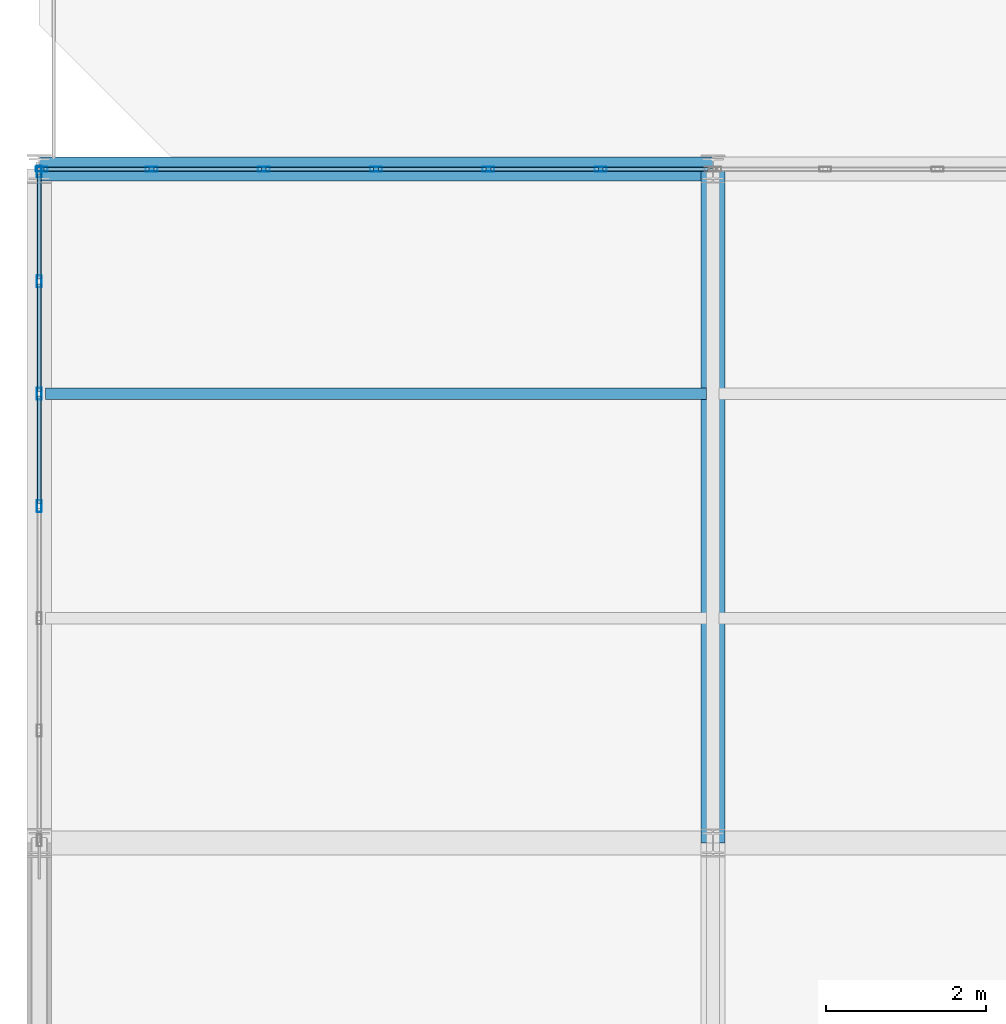
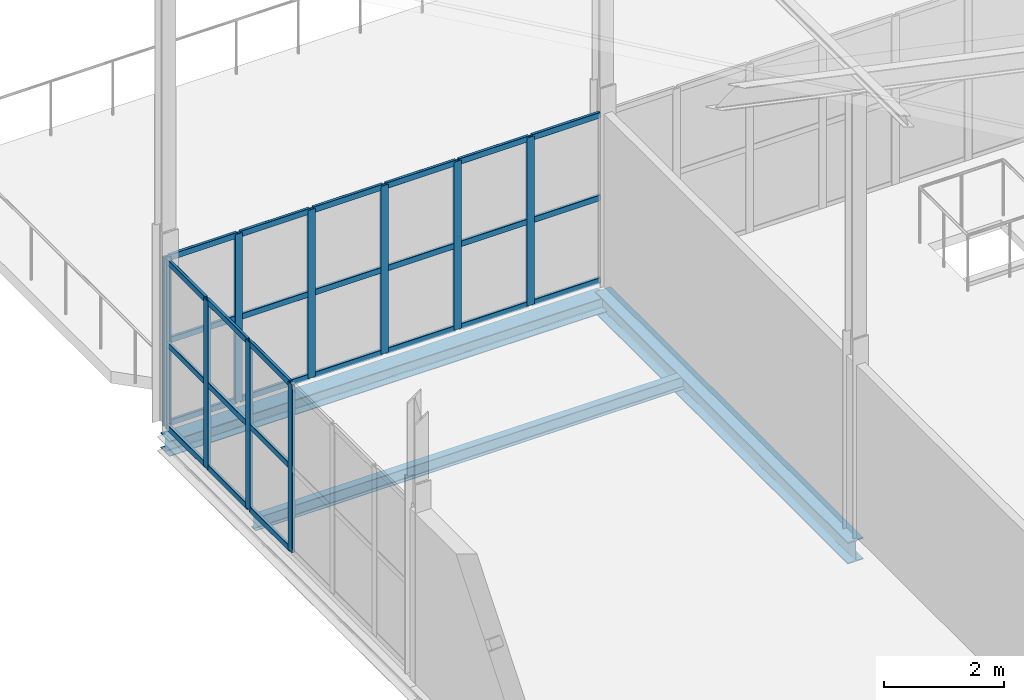
# One storey, part 106 of 184: 37 members, 3 beams, 2 elements without a shape of their own.
"""IFC4 building model written with IfcOpenShell, lengths in metres."""

from ifc_helpers import new_model, si_unit, direction, frame, origin, origin_2d, place, context, subcontext, project, spatial, hollow_rectangle, i_section, extrude, material, layer, layer_set, material_profile, profile_set, type_object, element, aggregate, save


model = new_model("IFC4")

# Units and contexts
model_context = context("Model", 3, precision=1e-05, world=origin(), true_north=direction((0.0, 1.0)))
body_context = subcontext(model_context, "Body", "Model", "MODEL_VIEW")
ifc_project = project(units=[si_unit("LENGTHUNIT", "METRE"), si_unit("AREAUNIT", "SQUARE_METRE"), si_unit("VOLUMEUNIT", "CUBIC_METRE"), si_unit("PLANEANGLEUNIT", "RADIAN"), si_unit("MASSUNIT", "GRAM", prefix="KILO")], contexts=[model_context])

# Site, building, storey
site_placement = place(None, origin())
site = spatial("IfcSite", under=ifc_project, at=site_placement, CompositionType="ELEMENT")
building_placement = place(site_placement, origin())
building = spatial("IfcBuilding", under=site, at=building_placement, Name="Qalvenar Corner Mobility Hub", CompositionType="ELEMENT")
storey_placement = place(building_placement, frame((0.0, 0.0, 9.0)))
storey = spatial("IfcBuildingStorey", under=building, at=storey_placement, Name="L02", CompositionType="ELEMENT", Elevation=9.0)

# Beams
ifc_material_1 = material(Name="Steel S355", Category="steel")
ifc_material_profile_1 = material_profile(ifc_material_1, i_section(OverallWidth=0.300048828125, OverallDepth=0.43994140625, WebThickness=0.011474609375, FlangeThickness=0.02099609375, FilletRadius=0.027099609375, at=origin_2d()), Name="HEA450")
ifc_profile_set_1 = profile_set([ifc_material_profile_1], Name="Steel S355")
beam_type_1 = type_object("IfcBeamType", Name="BM-HEA450", PredefinedType="BEAM", material=ifc_profile_set_1)
beam_1_placement = place(storey_placement, frame((8.39990234375, 75.60009765625, -0.39990234375), z_axis=(0.0, 1.0, 0.0), x_axis=(-1.0, 0.0, 0.0)))
element("IfcBeam", 1, at=beam_1_placement, inside=storey, type_object=beam_type_1, Name="Primary Steel Girder GY-1848", PredefinedType="BEAM", context=body_context, shape_type="SweptSolid", body=[
    extrude(i_section(OverallWidth=0.300048828125, OverallDepth=0.43994140625, WebThickness=0.011474609375, FlangeThickness=0.02099609375, FilletRadius=0.027099609375, at=origin_2d()), origin(), (0.0, 0.0, 1.0), 8.39990234375),
])
ifc_material_profile_2 = material_profile(ifc_material_1, i_section(OverallWidth=0.14599609375, OverallDepth=0.258056640625, WebThickness=0.006103515625, FlangeThickness=0.009033203125, FilletRadius=0.011962890625, at=origin_2d()), Name="W250x32.7")
ifc_profile_set_2 = profile_set([ifc_material_profile_2], Name="Steel S355")
beam_type_2 = type_object("IfcBeamType", Name="BM-JST250", PredefinedType="JOIST", material=ifc_profile_set_2)
beam_2_placement = place(storey_placement, frame((0.077880859375, 81.199951171875, -0.30908203125), z_axis=(1.0, 0.0, 0.0), x_axis=(0.0, 1.0, 0.0)))
element("IfcBeam", 2, at=beam_2_placement, inside=storey, type_object=beam_type_2, Name="Composite Floor Joist J-1873", PredefinedType="JOIST", context=body_context, shape_type="SweptSolid", body=[
    extrude(i_section(OverallWidth=0.14599609375, OverallDepth=0.258056640625, WebThickness=0.006103515625, FlangeThickness=0.009033203125, FilletRadius=0.011962890625, at=origin_2d()), origin(), (0.0, 0.0, 1.0), 8.244140625),
])
ifc_material_profile_3 = material_profile(ifc_material_1, i_section(OverallWidth=0.300048828125, OverallDepth=0.31005859375, WebThickness=0.009033203125, FlangeThickness=0.015380859375, FilletRadius=0.027099609375, at=origin_2d()), Name="HEA320")
ifc_profile_set_3 = profile_set([ifc_material_profile_3], Name="Steel S355")
beam_type_3 = type_object("IfcBeamType", Name="BM-SPN320", PredefinedType="SPANDREL", material=ifc_profile_set_3)
beam_3_placement = place(storey_placement, frame((0.0, 84.0, -0.39697265625), z_axis=(1.0, 0.0, 0.0), x_axis=(0.0, 1.0, 0.0)))
element("IfcBeam", 3, at=beam_3_placement, inside=storey, type_object=beam_type_3, Name="Primary Steel Girder GX-1835", PredefinedType="SPANDREL", context=body_context, shape_type="SweptSolid", body=[
    extrude(i_section(OverallWidth=0.300048828125, OverallDepth=0.31005859375, WebThickness=0.009033203125, FlangeThickness=0.015380859375, FilletRadius=0.027099609375, at=origin_2d()), origin(), (0.0, 0.0, 1.0), 8.39990234375),
])

# Curtain wall, members
ifc_material_2 = material(Name="Anodised Aluminium and Low-E Glazing", Category="aluminium")
ifc_layer = layer(ifc_material_2, 0.14990234375)
ifc_layer_set = layer_set([ifc_layer], Name="Anodised Aluminium and Low-E Glazing")
curtain_wall_type = type_object("IfcCurtainWallType", Name="CW-CYC-84X39", PredefinedType="NOTDEFINED", material=ifc_layer_set)
curtain_wall_1_placement = place(storey_placement, origin())
curtain_wall_1 = element("IfcCurtainWall", 4, at=curtain_wall_1_placement, inside=storey, type_object=curtain_wall_type, Name="Glazed Curtain Wall CW-V5-L02-W4", PredefinedType="NOTDEFINED")
ifc_material_3 = material(Name="Anodised Aluminium 6063-T6", Category="aluminium")
ifc_material_profile_4 = material_profile(ifc_material_3, hollow_rectangle(XDim=0.06005859375, YDim=0.14990234375, WallThickness=0.00390625, InnerFilletRadius=0.00390625, OuterFilletRadius=0.008056640625, at=origin_2d()), Name="RHS150x60x4")
ifc_profile_set_4 = profile_set([ifc_material_profile_4], Name="Anodised Aluminium 6063-T6")
member_type_1 = type_object("IfcMemberType", Name="CW-MUL150", PredefinedType="MULLION", material=ifc_profile_set_4)
member_1_placement = place(storey_placement, frame((0.0, 83.969970703125, 0.0), z_axis=(0.0, 0.0, 1.0), x_axis=(1.0, 0.0, 0.0)))
member_1 = element("IfcMember", 5, at=member_1_placement, type_object=member_type_1, Name="CW-08 mullion 1", PredefinedType="MULLION", context=body_context, shape_type="SweptSolid", body=[
    extrude(hollow_rectangle(XDim=0.06005859375, YDim=0.14990234375, WallThickness=0.00390625, InnerFilletRadius=0.00390625, OuterFilletRadius=0.008056640625, at=origin_2d()), origin(), (0.0, 0.0, 1.0), 3.409912109375),
])
member_2_placement = place(storey_placement, frame((0.0, 82.60009765625, 0.0), z_axis=(0.0, 0.0, 1.0), x_axis=(1.0, 0.0, 0.0)))
member_2 = element("IfcMember", 6, at=member_2_placement, type_object=member_type_1, Name="CW-08 mullion 2", PredefinedType="MULLION", context=body_context, shape_type="SweptSolid", body=[
    extrude(hollow_rectangle(XDim=0.06005859375, YDim=0.14990234375, WallThickness=0.00390625, InnerFilletRadius=0.00390625, OuterFilletRadius=0.008056640625, at=origin_2d()), origin(), (0.0, 0.0, 1.0), 3.409912109375),
])
member_3_placement = place(storey_placement, frame((0.0, 81.199951171875, 0.0), z_axis=(0.0, 0.0, 1.0), x_axis=(1.0, 0.0, 0.0)))
member_3 = element("IfcMember", 7, at=member_3_placement, type_object=member_type_1, Name="CW-08 mullion 3", PredefinedType="MULLION", context=body_context, shape_type="SweptSolid", body=[
    extrude(hollow_rectangle(XDim=0.06005859375, YDim=0.14990234375, WallThickness=0.00390625, InnerFilletRadius=0.00390625, OuterFilletRadius=0.008056640625, at=origin_2d()), origin(), (0.0, 0.0, 1.0), 3.409912109375),
])
member_4_placement = place(storey_placement, frame((0.0, 79.800048828125, 0.0), z_axis=(0.0, 0.0, 1.0), x_axis=(1.0, 0.0, 0.0)))
member_4 = element("IfcMember", 8, at=member_4_placement, type_object=member_type_1, Name="CW-08 mullion 4", PredefinedType="MULLION", context=body_context, shape_type="SweptSolid", body=[
    extrude(hollow_rectangle(XDim=0.06005859375, YDim=0.14990234375, WallThickness=0.00390625, InnerFilletRadius=0.00390625, OuterFilletRadius=0.008056640625, at=origin_2d()), origin(), (0.0, 0.0, 1.0), 3.409912109375),
])

curtain_wall_2_placement = place(storey_placement, origin())
curtain_wall_2 = element("IfcCurtainWall", 9, at=curtain_wall_2_placement, inside=storey, type_object=curtain_wall_type, Name="Glazed Curtain Wall CW-V5-L02-N0", PredefinedType="NOTDEFINED")
member_5_placement = place(storey_placement, frame((7.0, 84.0, 0.0), z_axis=(0.0, 0.0, 1.0), x_axis=(0.0, -1.0, 0.0)))
member_5 = element("IfcMember", 10, at=member_5_placement, type_object=member_type_1, Name="CW-08 mullion 2", PredefinedType="MULLION", context=body_context, shape_type="SweptSolid", body=[
    extrude(hollow_rectangle(XDim=0.06005859375, YDim=0.14990234375, WallThickness=0.00390625, InnerFilletRadius=0.00390625, OuterFilletRadius=0.008056640625, at=origin_2d()), origin(), (0.0, 0.0, 1.0), 3.409912109375),
])
member_6_placement = place(storey_placement, frame((5.60009765625, 84.0, 0.0), z_axis=(0.0, 0.0, 1.0), x_axis=(0.0, -1.0, 0.0)))
member_6 = element("IfcMember", 11, at=member_6_placement, type_object=member_type_1, Name="CW-08 mullion 3", PredefinedType="MULLION", context=body_context, shape_type="SweptSolid", body=[
    extrude(hollow_rectangle(XDim=0.06005859375, YDim=0.14990234375, WallThickness=0.00390625, InnerFilletRadius=0.00390625, OuterFilletRadius=0.008056640625, at=origin_2d()), origin(), (0.0, 0.0, 1.0), 3.409912109375),
])
member_7_placement = place(storey_placement, frame((4.199951171875, 84.0, 0.0), z_axis=(0.0, 0.0, 1.0), x_axis=(0.0, -1.0, 0.0)))
member_7 = element("IfcMember", 12, at=member_7_placement, type_object=member_type_1, Name="CW-08 mullion 4", PredefinedType="MULLION", context=body_context, shape_type="SweptSolid", body=[
    extrude(hollow_rectangle(XDim=0.06005859375, YDim=0.14990234375, WallThickness=0.00390625, InnerFilletRadius=0.00390625, OuterFilletRadius=0.008056640625, at=origin_2d()), origin(), (0.0, 0.0, 1.0), 3.409912109375),
])
member_8_placement = place(storey_placement, frame((2.800048828125, 84.0, 0.0), z_axis=(0.0, 0.0, 1.0), x_axis=(0.0, -1.0, 0.0)))
member_8 = element("IfcMember", 13, at=member_8_placement, type_object=member_type_1, Name="CW-08 mullion 5", PredefinedType="MULLION", context=body_context, shape_type="SweptSolid", body=[
    extrude(hollow_rectangle(XDim=0.06005859375, YDim=0.14990234375, WallThickness=0.00390625, InnerFilletRadius=0.00390625, OuterFilletRadius=0.008056640625, at=origin_2d()), origin(), (0.0, 0.0, 1.0), 3.409912109375),
])
member_9_placement = place(storey_placement, frame((1.39990234375, 84.0, 0.0), z_axis=(0.0, 0.0, 1.0), x_axis=(0.0, -1.0, 0.0)))
member_9 = element("IfcMember", 14, at=member_9_placement, type_object=member_type_1, Name="CW-08 mullion 6", PredefinedType="MULLION", context=body_context, shape_type="SweptSolid", body=[
    extrude(hollow_rectangle(XDim=0.06005859375, YDim=0.14990234375, WallThickness=0.00390625, InnerFilletRadius=0.00390625, OuterFilletRadius=0.008056640625, at=origin_2d()), origin(), (0.0, 0.0, 1.0), 3.409912109375),
])
member_10_placement = place(storey_placement, frame((0.030029296875, 84.0, 0.0), z_axis=(0.0, 0.0, 1.0), x_axis=(0.0, -1.0, 0.0)))
member_10 = element("IfcMember", 15, at=member_10_placement, type_object=member_type_1, Name="CW-08 mullion 7", PredefinedType="MULLION", context=body_context, shape_type="SweptSolid", body=[
    extrude(hollow_rectangle(XDim=0.06005859375, YDim=0.14990234375, WallThickness=0.00390625, InnerFilletRadius=0.00390625, OuterFilletRadius=0.008056640625, at=origin_2d()), origin(), (0.0, 0.0, 1.0), 3.409912109375),
])

# Member
ifc_material_profile_5 = material_profile(ifc_material_3, hollow_rectangle(XDim=0.054931640625, YDim=0.1201171875, WallThickness=0.00341796875, InnerFilletRadius=0.00341796875, OuterFilletRadius=0.007080078125, at=origin_2d()), Name="RHS120x55x3.5")
ifc_profile_set_5 = profile_set([ifc_material_profile_5], Name="Anodised Aluminium 6063-T6")
member_type_2 = type_object("IfcMemberType", Name="CW-TRN120", PredefinedType="USERDEFINED", material=ifc_profile_set_5)
member_11_placement = place(storey_placement, frame((0.0, 83.93994140625, 0.027587890625), z_axis=(0.0, -1.0, 0.0), x_axis=(1.0, 0.0, 0.0)))
member_11 = element("IfcMember", 16, at=member_11_placement, type_object=member_type_2, Name="CW-08 transom 1.1", ObjectType="TRANSOM", PredefinedType="USERDEFINED", context=body_context, shape_type="SweptSolid", body=[
    extrude(hollow_rectangle(XDim=0.054931640625, YDim=0.1201171875, WallThickness=0.00341796875, InnerFilletRadius=0.00341796875, OuterFilletRadius=0.007080078125, at=origin_2d()), origin(), (0.0, 0.0, 1.0), 1.31005859375),
])

member_12_placement = place(storey_placement, frame((0.0, 83.93994140625, 1.705078125), z_axis=(0.0, -1.0, 0.0), x_axis=(1.0, 0.0, 0.0)))
member_12 = element("IfcMember", 17, at=member_12_placement, type_object=member_type_2, Name="CW-08 transom 1.2", ObjectType="TRANSOM", PredefinedType="USERDEFINED", context=body_context, shape_type="SweptSolid", body=[
    extrude(hollow_rectangle(XDim=0.054931640625, YDim=0.1201171875, WallThickness=0.00341796875, InnerFilletRadius=0.00341796875, OuterFilletRadius=0.007080078125, at=origin_2d()), origin(), (0.0, 0.0, 1.0), 1.31005859375),
])

member_13_placement = place(storey_placement, frame((0.0, 83.93994140625, 3.382568359375), z_axis=(0.0, -1.0, 0.0), x_axis=(1.0, 0.0, 0.0)))
member_13 = element("IfcMember", 18, at=member_13_placement, type_object=member_type_2, Name="CW-08 transom 1.3", ObjectType="TRANSOM", PredefinedType="USERDEFINED", context=body_context, shape_type="SweptSolid", body=[
    extrude(hollow_rectangle(XDim=0.054931640625, YDim=0.1201171875, WallThickness=0.00341796875, InnerFilletRadius=0.00341796875, OuterFilletRadius=0.007080078125, at=origin_2d()), origin(), (0.0, 0.0, 1.0), 1.31005859375),
])

member_14_placement = place(storey_placement, frame((0.0, 82.570068359375, 0.027587890625), z_axis=(0.0, -1.0, 0.0), x_axis=(1.0, 0.0, 0.0)))
member_14 = element("IfcMember", 19, at=member_14_placement, type_object=member_type_2, Name="CW-08 transom 2.1", ObjectType="TRANSOM", PredefinedType="USERDEFINED", context=body_context, shape_type="SweptSolid", body=[
    extrude(hollow_rectangle(XDim=0.054931640625, YDim=0.1201171875, WallThickness=0.00341796875, InnerFilletRadius=0.00341796875, OuterFilletRadius=0.007080078125, at=origin_2d()), origin(), (0.0, 0.0, 1.0), 1.340087890625),
])

member_15_placement = place(storey_placement, frame((0.0, 82.570068359375, 1.705078125), z_axis=(0.0, -1.0, 0.0), x_axis=(1.0, 0.0, 0.0)))
member_15 = element("IfcMember", 20, at=member_15_placement, type_object=member_type_2, Name="CW-08 transom 2.2", ObjectType="TRANSOM", PredefinedType="USERDEFINED", context=body_context, shape_type="SweptSolid", body=[
    extrude(hollow_rectangle(XDim=0.054931640625, YDim=0.1201171875, WallThickness=0.00341796875, InnerFilletRadius=0.00341796875, OuterFilletRadius=0.007080078125, at=origin_2d()), origin(), (0.0, 0.0, 1.0), 1.340087890625),
])

member_16_placement = place(storey_placement, frame((0.0, 82.570068359375, 3.382568359375), z_axis=(0.0, -1.0, 0.0), x_axis=(1.0, 0.0, 0.0)))
member_16 = element("IfcMember", 21, at=member_16_placement, type_object=member_type_2, Name="CW-08 transom 2.3", ObjectType="TRANSOM", PredefinedType="USERDEFINED", context=body_context, shape_type="SweptSolid", body=[
    extrude(hollow_rectangle(XDim=0.054931640625, YDim=0.1201171875, WallThickness=0.00341796875, InnerFilletRadius=0.00341796875, OuterFilletRadius=0.007080078125, at=origin_2d()), origin(), (0.0, 0.0, 1.0), 1.340087890625),
])

member_17_placement = place(storey_placement, frame((0.0, 81.169921875, 0.027587890625), z_axis=(0.0, -1.0, 0.0), x_axis=(1.0, 0.0, 0.0)))
member_17 = element("IfcMember", 22, at=member_17_placement, type_object=member_type_2, Name="CW-08 transom 3.1", ObjectType="TRANSOM", PredefinedType="USERDEFINED", context=body_context, shape_type="SweptSolid", body=[
    extrude(hollow_rectangle(XDim=0.054931640625, YDim=0.1201171875, WallThickness=0.00341796875, InnerFilletRadius=0.00341796875, OuterFilletRadius=0.007080078125, at=origin_2d()), origin(), (0.0, 0.0, 1.0), 1.33984375),
])

member_18_placement = place(storey_placement, frame((0.0, 81.169921875, 1.705078125), z_axis=(0.0, -1.0, 0.0), x_axis=(1.0, 0.0, 0.0)))
member_18 = element("IfcMember", 23, at=member_18_placement, type_object=member_type_2, Name="CW-08 transom 3.2", ObjectType="TRANSOM", PredefinedType="USERDEFINED", context=body_context, shape_type="SweptSolid", body=[
    extrude(hollow_rectangle(XDim=0.054931640625, YDim=0.1201171875, WallThickness=0.00341796875, InnerFilletRadius=0.00341796875, OuterFilletRadius=0.007080078125, at=origin_2d()), origin(), (0.0, 0.0, 1.0), 1.33984375),
])

member_19_placement = place(storey_placement, frame((0.0, 81.169921875, 3.382568359375), z_axis=(0.0, -1.0, 0.0), x_axis=(1.0, 0.0, 0.0)))
member_19 = element("IfcMember", 24, at=member_19_placement, type_object=member_type_2, Name="CW-08 transom 3.3", ObjectType="TRANSOM", PredefinedType="USERDEFINED", context=body_context, shape_type="SweptSolid", body=[
    extrude(hollow_rectangle(XDim=0.054931640625, YDim=0.1201171875, WallThickness=0.00341796875, InnerFilletRadius=0.00341796875, OuterFilletRadius=0.007080078125, at=origin_2d()), origin(), (0.0, 0.0, 1.0), 1.33984375),
])

aggregate(curtain_wall_1, [member_1, member_2, member_3, member_4, member_11, member_12, member_13, member_14, member_15, member_16, member_17, member_18, member_19])

member_20_placement = place(storey_placement, frame((8.340087890625, 84.0, 0.027587890625), z_axis=(-1.0, 0.0, 0.0), x_axis=(0.0, -1.0, 0.0)))
member_20 = element("IfcMember", 25, at=member_20_placement, type_object=member_type_2, Name="CW-08 transom 1.1", ObjectType="TRANSOM", PredefinedType="USERDEFINED", context=body_context, shape_type="SweptSolid", body=[
    extrude(hollow_rectangle(XDim=0.054931640625, YDim=0.1201171875, WallThickness=0.00341796875, InnerFilletRadius=0.00341796875, OuterFilletRadius=0.007080078125, at=origin_2d()), origin(), (0.0, 0.0, 1.0), 1.31005859375),
])

member_21_placement = place(storey_placement, frame((8.340087890625, 84.0, 1.705078125), z_axis=(-1.0, 0.0, 0.0), x_axis=(0.0, -1.0, 0.0)))
member_21 = element("IfcMember", 26, at=member_21_placement, type_object=member_type_2, Name="CW-08 transom 1.2", ObjectType="TRANSOM", PredefinedType="USERDEFINED", context=body_context, shape_type="SweptSolid", body=[
    extrude(hollow_rectangle(XDim=0.054931640625, YDim=0.1201171875, WallThickness=0.00341796875, InnerFilletRadius=0.00341796875, OuterFilletRadius=0.007080078125, at=origin_2d()), origin(), (0.0, 0.0, 1.0), 1.31005859375),
])

member_22_placement = place(storey_placement, frame((8.340087890625, 84.0, 3.382568359375), z_axis=(-1.0, 0.0, 0.0), x_axis=(0.0, -1.0, 0.0)))
member_22 = element("IfcMember", 27, at=member_22_placement, type_object=member_type_2, Name="CW-08 transom 1.3", ObjectType="TRANSOM", PredefinedType="USERDEFINED", context=body_context, shape_type="SweptSolid", body=[
    extrude(hollow_rectangle(XDim=0.054931640625, YDim=0.1201171875, WallThickness=0.00341796875, InnerFilletRadius=0.00341796875, OuterFilletRadius=0.007080078125, at=origin_2d()), origin(), (0.0, 0.0, 1.0), 1.31005859375),
])

member_23_placement = place(storey_placement, frame((6.969970703125, 84.0, 0.027587890625), z_axis=(-1.0, 0.0, 0.0), x_axis=(0.0, -1.0, 0.0)))
member_23 = element("IfcMember", 28, at=member_23_placement, type_object=member_type_2, Name="CW-08 transom 2.1", ObjectType="TRANSOM", PredefinedType="USERDEFINED", context=body_context, shape_type="SweptSolid", body=[
    extrude(hollow_rectangle(XDim=0.054931640625, YDim=0.1201171875, WallThickness=0.00341796875, InnerFilletRadius=0.00341796875, OuterFilletRadius=0.007080078125, at=origin_2d()), origin(), (0.0, 0.0, 1.0), 1.340087890625),
])

member_24_placement = place(storey_placement, frame((6.969970703125, 84.0, 1.705078125), z_axis=(-1.0, 0.0, 0.0), x_axis=(0.0, -1.0, 0.0)))
member_24 = element("IfcMember", 29, at=member_24_placement, type_object=member_type_2, Name="CW-08 transom 2.2", ObjectType="TRANSOM", PredefinedType="USERDEFINED", context=body_context, shape_type="SweptSolid", body=[
    extrude(hollow_rectangle(XDim=0.054931640625, YDim=0.1201171875, WallThickness=0.00341796875, InnerFilletRadius=0.00341796875, OuterFilletRadius=0.007080078125, at=origin_2d()), origin(), (0.0, 0.0, 1.0), 1.340087890625),
])

member_25_placement = place(storey_placement, frame((6.969970703125, 84.0, 3.382568359375), z_axis=(-1.0, 0.0, 0.0), x_axis=(0.0, -1.0, 0.0)))
member_25 = element("IfcMember", 30, at=member_25_placement, type_object=member_type_2, Name="CW-08 transom 2.3", ObjectType="TRANSOM", PredefinedType="USERDEFINED", context=body_context, shape_type="SweptSolid", body=[
    extrude(hollow_rectangle(XDim=0.054931640625, YDim=0.1201171875, WallThickness=0.00341796875, InnerFilletRadius=0.00341796875, OuterFilletRadius=0.007080078125, at=origin_2d()), origin(), (0.0, 0.0, 1.0), 1.340087890625),
])

member_26_placement = place(storey_placement, frame((5.570068359375, 84.0, 0.027587890625), z_axis=(-1.0, 0.0, 0.0), x_axis=(0.0, -1.0, 0.0)))
member_26 = element("IfcMember", 31, at=member_26_placement, type_object=member_type_2, Name="CW-08 transom 3.1", ObjectType="TRANSOM", PredefinedType="USERDEFINED", context=body_context, shape_type="SweptSolid", body=[
    extrude(hollow_rectangle(XDim=0.054931640625, YDim=0.1201171875, WallThickness=0.00341796875, InnerFilletRadius=0.00341796875, OuterFilletRadius=0.007080078125, at=origin_2d()), origin(), (0.0, 0.0, 1.0), 1.340087890625),
])

member_27_placement = place(storey_placement, frame((5.570068359375, 84.0, 1.705078125), z_axis=(-1.0, 0.0, 0.0), x_axis=(0.0, -1.0, 0.0)))
member_27 = element("IfcMember", 32, at=member_27_placement, type_object=member_type_2, Name="CW-08 transom 3.2", ObjectType="TRANSOM", PredefinedType="USERDEFINED", context=body_context, shape_type="SweptSolid", body=[
    extrude(hollow_rectangle(XDim=0.054931640625, YDim=0.1201171875, WallThickness=0.00341796875, InnerFilletRadius=0.00341796875, OuterFilletRadius=0.007080078125, at=origin_2d()), origin(), (0.0, 0.0, 1.0), 1.340087890625),
])

member_28_placement = place(storey_placement, frame((5.570068359375, 84.0, 3.382568359375), z_axis=(-1.0, 0.0, 0.0), x_axis=(0.0, -1.0, 0.0)))
member_28 = element("IfcMember", 33, at=member_28_placement, type_object=member_type_2, Name="CW-08 transom 3.3", ObjectType="TRANSOM", PredefinedType="USERDEFINED", context=body_context, shape_type="SweptSolid", body=[
    extrude(hollow_rectangle(XDim=0.054931640625, YDim=0.1201171875, WallThickness=0.00341796875, InnerFilletRadius=0.00341796875, OuterFilletRadius=0.007080078125, at=origin_2d()), origin(), (0.0, 0.0, 1.0), 1.340087890625),
])

member_29_placement = place(storey_placement, frame((4.169921875, 84.0, 0.027587890625), z_axis=(-1.0, 0.0, 0.0), x_axis=(0.0, -1.0, 0.0)))
member_29 = element("IfcMember", 34, at=member_29_placement, type_object=member_type_2, Name="CW-08 transom 4.1", ObjectType="TRANSOM", PredefinedType="USERDEFINED", context=body_context, shape_type="SweptSolid", body=[
    extrude(hollow_rectangle(XDim=0.054931640625, YDim=0.1201171875, WallThickness=0.00341796875, InnerFilletRadius=0.00341796875, OuterFilletRadius=0.007080078125, at=origin_2d()), origin(), (0.0, 0.0, 1.0), 1.33984375),
])

member_30_placement = place(storey_placement, frame((4.169921875, 84.0, 1.705078125), z_axis=(-1.0, 0.0, 0.0), x_axis=(0.0, -1.0, 0.0)))
member_30 = element("IfcMember", 35, at=member_30_placement, type_object=member_type_2, Name="CW-08 transom 4.2", ObjectType="TRANSOM", PredefinedType="USERDEFINED", context=body_context, shape_type="SweptSolid", body=[
    extrude(hollow_rectangle(XDim=0.054931640625, YDim=0.1201171875, WallThickness=0.00341796875, InnerFilletRadius=0.00341796875, OuterFilletRadius=0.007080078125, at=origin_2d()), origin(), (0.0, 0.0, 1.0), 1.33984375),
])

member_31_placement = place(storey_placement, frame((4.169921875, 84.0, 3.382568359375), z_axis=(-1.0, 0.0, 0.0), x_axis=(0.0, -1.0, 0.0)))
member_31 = element("IfcMember", 36, at=member_31_placement, type_object=member_type_2, Name="CW-08 transom 4.3", ObjectType="TRANSOM", PredefinedType="USERDEFINED", context=body_context, shape_type="SweptSolid", body=[
    extrude(hollow_rectangle(XDim=0.054931640625, YDim=0.1201171875, WallThickness=0.00341796875, InnerFilletRadius=0.00341796875, OuterFilletRadius=0.007080078125, at=origin_2d()), origin(), (0.0, 0.0, 1.0), 1.33984375),
])

member_32_placement = place(storey_placement, frame((2.77001953125, 84.0, 0.027587890625), z_axis=(-1.0, 0.0, 0.0), x_axis=(0.0, -1.0, 0.0)))
member_32 = element("IfcMember", 37, at=member_32_placement, type_object=member_type_2, Name="CW-08 transom 5.1", ObjectType="TRANSOM", PredefinedType="USERDEFINED", context=body_context, shape_type="SweptSolid", body=[
    extrude(hollow_rectangle(XDim=0.054931640625, YDim=0.1201171875, WallThickness=0.00341796875, InnerFilletRadius=0.00341796875, OuterFilletRadius=0.007080078125, at=origin_2d()), origin(), (0.0, 0.0, 1.0), 1.340087890625),
])

member_33_placement = place(storey_placement, frame((2.77001953125, 84.0, 1.705078125), z_axis=(-1.0, 0.0, 0.0), x_axis=(0.0, -1.0, 0.0)))
member_33 = element("IfcMember", 38, at=member_33_placement, type_object=member_type_2, Name="CW-08 transom 5.2", ObjectType="TRANSOM", PredefinedType="USERDEFINED", context=body_context, shape_type="SweptSolid", body=[
    extrude(hollow_rectangle(XDim=0.054931640625, YDim=0.1201171875, WallThickness=0.00341796875, InnerFilletRadius=0.00341796875, OuterFilletRadius=0.007080078125, at=origin_2d()), origin(), (0.0, 0.0, 1.0), 1.340087890625),
])

member_34_placement = place(storey_placement, frame((2.77001953125, 84.0, 3.382568359375), z_axis=(-1.0, 0.0, 0.0), x_axis=(0.0, -1.0, 0.0)))
member_34 = element("IfcMember", 39, at=member_34_placement, type_object=member_type_2, Name="CW-08 transom 5.3", ObjectType="TRANSOM", PredefinedType="USERDEFINED", context=body_context, shape_type="SweptSolid", body=[
    extrude(hollow_rectangle(XDim=0.054931640625, YDim=0.1201171875, WallThickness=0.00341796875, InnerFilletRadius=0.00341796875, OuterFilletRadius=0.007080078125, at=origin_2d()), origin(), (0.0, 0.0, 1.0), 1.340087890625),
])

member_35_placement = place(storey_placement, frame((1.3701171875, 84.0, 0.027587890625), z_axis=(-1.0, 0.0, 0.0), x_axis=(0.0, -1.0, 0.0)))
member_35 = element("IfcMember", 40, at=member_35_placement, type_object=member_type_2, Name="CW-08 transom 6.1", ObjectType="TRANSOM", PredefinedType="USERDEFINED", context=body_context, shape_type="SweptSolid", body=[
    extrude(hollow_rectangle(XDim=0.054931640625, YDim=0.1201171875, WallThickness=0.00341796875, InnerFilletRadius=0.00341796875, OuterFilletRadius=0.007080078125, at=origin_2d()), origin(), (0.0, 0.0, 1.0), 1.31005859375),
])

member_36_placement = place(storey_placement, frame((1.3701171875, 84.0, 1.705078125), z_axis=(-1.0, 0.0, 0.0), x_axis=(0.0, -1.0, 0.0)))
member_36 = element("IfcMember", 41, at=member_36_placement, type_object=member_type_2, Name="CW-08 transom 6.2", ObjectType="TRANSOM", PredefinedType="USERDEFINED", context=body_context, shape_type="SweptSolid", body=[
    extrude(hollow_rectangle(XDim=0.054931640625, YDim=0.1201171875, WallThickness=0.00341796875, InnerFilletRadius=0.00341796875, OuterFilletRadius=0.007080078125, at=origin_2d()), origin(), (0.0, 0.0, 1.0), 1.31005859375),
])

member_37_placement = place(storey_placement, frame((1.3701171875, 84.0, 3.382568359375), z_axis=(-1.0, 0.0, 0.0), x_axis=(0.0, -1.0, 0.0)))
member_37 = element("IfcMember", 42, at=member_37_placement, type_object=member_type_2, Name="CW-08 transom 6.3", ObjectType="TRANSOM", PredefinedType="USERDEFINED", context=body_context, shape_type="SweptSolid", body=[
    extrude(hollow_rectangle(XDim=0.054931640625, YDim=0.1201171875, WallThickness=0.00341796875, InnerFilletRadius=0.00341796875, OuterFilletRadius=0.007080078125, at=origin_2d()), origin(), (0.0, 0.0, 1.0), 1.31005859375),
])

aggregate(curtain_wall_2, [member_5, member_6, member_7, member_8, member_9, member_10, member_20, member_21, member_22, member_23, member_24, member_25, member_26, member_27, member_28, member_29, member_30, member_31, member_32, member_33, member_34, member_35, member_36, member_37])

save(model, "model.ifc")
